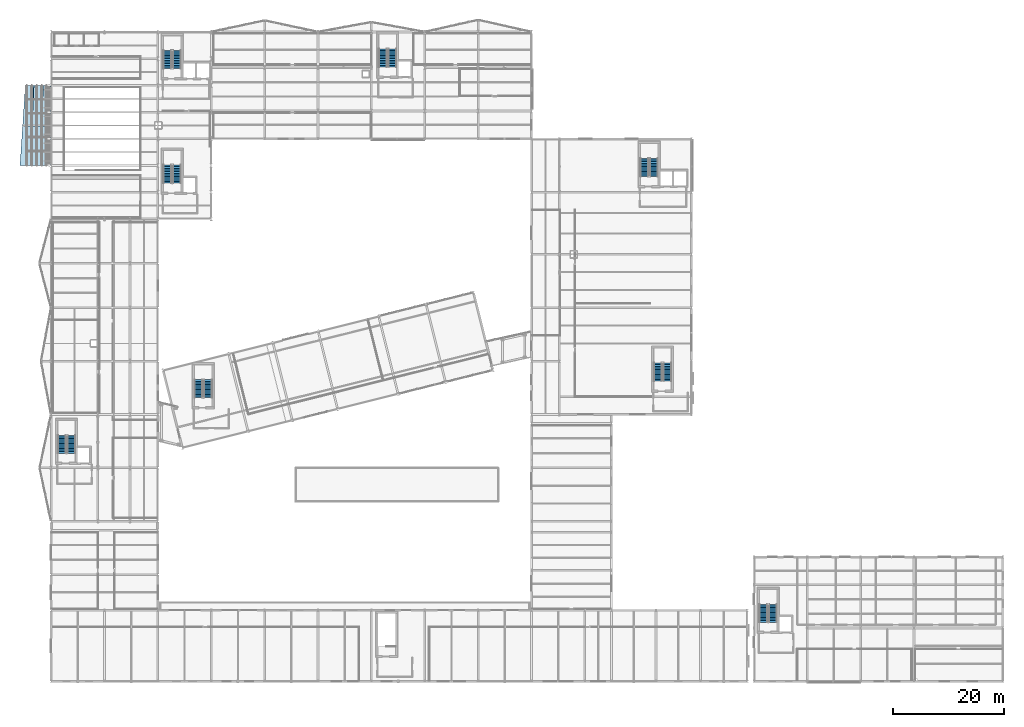
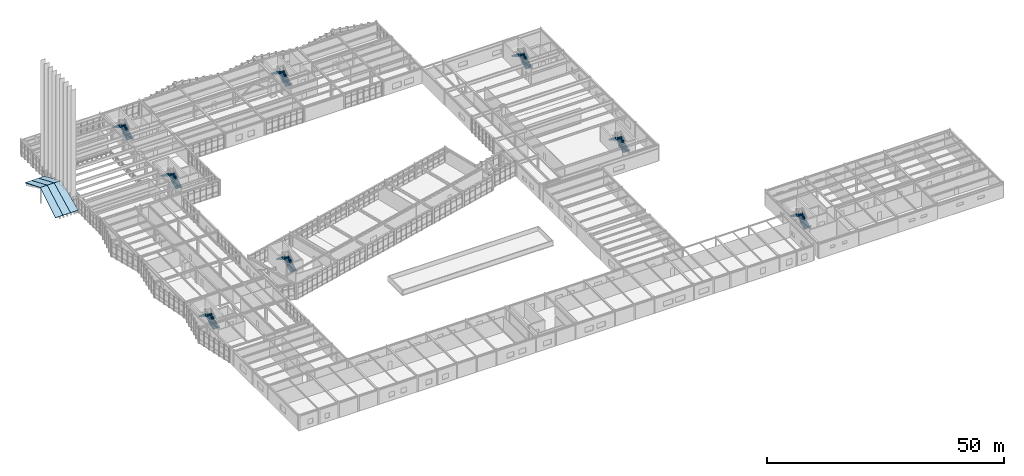
# One storey, part 90 of 99: 16 stair flights, 6 roofs, 8 elements without a shape of their own.
"""IFC4 building model written with IfcOpenShell, lengths in metres."""

from ifc_helpers import new_model, si_unit, direction, frame, origin, place, context, subcontext, project, spatial, polyline, outline, extrude, material, layer, layer_set, type_object, element, aggregate, save


model = new_model("IFC4")

# Units and contexts
model_context = context("Model", 3, precision=1e-05, world=origin(), true_north=direction((0.0, 1.0)))
body_context = subcontext(model_context, "Body", "Model", "MODEL_VIEW")
ifc_project = project(units=[si_unit("LENGTHUNIT", "METRE"), si_unit("AREAUNIT", "SQUARE_METRE"), si_unit("VOLUMEUNIT", "CUBIC_METRE"), si_unit("PLANEANGLEUNIT", "RADIAN"), si_unit("MASSUNIT", "GRAM", prefix="KILO")], contexts=[model_context])

# Site, building, storey
site_placement = place(None, origin())
site = spatial("IfcSite", under=ifc_project, at=site_placement, CompositionType="ELEMENT")
building_placement = place(site_placement, origin())
building = spatial("IfcBuilding", under=site, at=building_placement, Name="Nordkorset Police Headquarters", CompositionType="ELEMENT")
storey_placement = place(building_placement, frame((0.0, 0.0, 5.25)))
storey = spatial("IfcBuildingStorey", under=building, at=storey_placement, Name="L01", CompositionType="ELEMENT", Elevation=5.25)

# Stair, stair flights
ifc_material_1 = material(Name="Concrete C35/45", Category="concrete")
stair_type = type_object("IfcStairType", Name="ST-42", PredefinedType="HALF_TURN_STAIR", material=ifc_material_1)
stair_1_placement = place(storey_placement, origin())
stair_1 = element("IfcStair", 1, at=stair_1_placement, inside=storey, type_object=stair_type, Name="L01 Protected Escape Stair ST-01", PredefinedType="HALF_TURN_STAIR")
ifc_material_2 = material(Name="Concrete C35/45", Category="concrete")
stair_flight_type = type_object("IfcStairFlightType", Name="SF-42", PredefinedType="STRAIGHT", material=ifc_material_2)
stair_flight_1_placement = place(storey_placement, frame((22.625, 110.22509765625, 0.0), z_axis=(0.0, 0.0, 1.0), x_axis=(0.0, 1.0, 0.0)))
stair_flight_1 = element("IfcStairFlight", 2, at=stair_flight_1_placement, type_object=stair_flight_type, Name="ST-01 flight 1", NumberOfRisers=12, NumberOfTreads=11, PredefinedType="STRAIGHT", RiserHeight=0.175, TreadLength=0.295, context=body_context, shape_type="SweptSolid", body=[
    extrude(outline(polyline([(0.0, 0.0), (0.0, 0.175048828125), (0.294921875, 0.175048828125), (0.294921875, 0.35009765625), (0.590087890625, 0.35009765625), (0.590087890625, 0.52490234375), (0.885009765625, 0.52490234375), (0.885009765625, 0.699951171875), (1.179931640625, 0.699951171875), (1.179931640625, 0.875), (1.47509765625, 0.875), (1.47509765625, 1.050048828125), (1.77001953125, 1.050048828125), (1.77001953125, 1.22509765625), (2.06494140625, 1.22509765625), (2.06494140625, 1.39990234375), (2.360107421875, 1.39990234375), (2.360107421875, 1.574951171875), (2.655029296875, 1.574951171875), (2.655029296875, 1.75), (2.949951171875, 1.75), (2.949951171875, 1.925048828125), (3.2451171875, 1.925048828125), (3.2451171875, 2.10009765625), (3.2451171875, 1.739013671875), (0.3134765625, 0.0), (0.0, 0.0)])), frame((0.0, 0.75, 0.0), z_axis=(0.0, -1.0, 0.0), x_axis=(1.0, 0.0, 0.0)), (0.0, 0.0, 1.0), 1.5),
])
stair_flight_2_placement = place(storey_placement, frame((20.925048828125, 113.469970703125, 2.10009765625), z_axis=(0.0, 0.0, 1.0), x_axis=(0.0, -1.0, 0.0)))
stair_flight_2 = element("IfcStairFlight", 3, at=stair_flight_2_placement, type_object=stair_flight_type, Name="ST-01 flight 2", NumberOfRisers=12, NumberOfTreads=11, PredefinedType="STRAIGHT", RiserHeight=0.175, TreadLength=0.295, context=body_context, shape_type="SweptSolid", body=[
    extrude(outline(polyline([(0.0, 0.0), (0.0, 0.175048828125), (0.294921875, 0.175048828125), (0.294921875, 0.35009765625), (0.590087890625, 0.35009765625), (0.590087890625, 0.52490234375), (0.885009765625, 0.52490234375), (0.885009765625, 0.699951171875), (1.179931640625, 0.699951171875), (1.179931640625, 0.875), (1.47509765625, 0.875), (1.47509765625, 1.050048828125), (1.77001953125, 1.050048828125), (1.77001953125, 1.22509765625), (2.06494140625, 1.22509765625), (2.06494140625, 1.39990234375), (2.360107421875, 1.39990234375), (2.360107421875, 1.574951171875), (2.655029296875, 1.574951171875), (2.655029296875, 1.75), (2.949951171875, 1.75), (2.949951171875, 1.925048828125), (3.2451171875, 1.925048828125), (3.2451171875, 2.10009765625), (3.2451171875, 1.739013671875), (0.3134765625, 0.0), (0.0, 0.0)])), frame((0.0, 0.75, 0.0), z_axis=(0.0, -1.0, 0.0), x_axis=(1.0, 0.0, 0.0)), (0.0, 0.0, 1.0), 1.5),
])
aggregate(stair_1, [stair_flight_1, stair_flight_2])

stair_2_placement = place(storey_placement, origin())
stair_2 = element("IfcStair", 4, at=stair_2_placement, inside=storey, type_object=stair_type, Name="L01 Protected Escape Stair ST-03", PredefinedType="HALF_TURN_STAIR")
stair_flight_3_placement = place(storey_placement, frame((22.625, 89.625, 0.0), z_axis=(0.0, 0.0, 1.0), x_axis=(0.0, 1.0, 0.0)))
stair_flight_3 = element("IfcStairFlight", 5, at=stair_flight_3_placement, type_object=stair_flight_type, Name="ST-03 flight 1", NumberOfRisers=12, NumberOfTreads=11, PredefinedType="STRAIGHT", RiserHeight=0.175, TreadLength=0.295, context=body_context, shape_type="SweptSolid", body=[
    extrude(outline(polyline([(0.0, 0.0), (0.0, 0.175048828125), (0.294921875, 0.175048828125), (0.294921875, 0.35009765625), (0.590087890625, 0.35009765625), (0.590087890625, 0.52490234375), (0.885009765625, 0.52490234375), (0.885009765625, 0.699951171875), (1.179931640625, 0.699951171875), (1.179931640625, 0.875), (1.47509765625, 0.875), (1.47509765625, 1.050048828125), (1.77001953125, 1.050048828125), (1.77001953125, 1.22509765625), (2.06494140625, 1.22509765625), (2.06494140625, 1.39990234375), (2.360107421875, 1.39990234375), (2.360107421875, 1.574951171875), (2.655029296875, 1.574951171875), (2.655029296875, 1.75), (2.949951171875, 1.75), (2.949951171875, 1.925048828125), (3.2451171875, 1.925048828125), (3.2451171875, 2.10009765625), (3.2451171875, 1.739013671875), (0.3134765625, 0.0), (0.0, 0.0)])), frame((0.0, 0.75, 0.0), z_axis=(0.0, -1.0, 0.0), x_axis=(1.0, 0.0, 0.0)), (0.0, 0.0, 1.0), 1.5),
])
stair_flight_4_placement = place(storey_placement, frame((20.925048828125, 92.8701171875, 2.10009765625), z_axis=(0.0, 0.0, 1.0), x_axis=(0.0, -1.0, 0.0)))
stair_flight_4 = element("IfcStairFlight", 6, at=stair_flight_4_placement, type_object=stair_flight_type, Name="ST-03 flight 2", NumberOfRisers=12, NumberOfTreads=11, PredefinedType="STRAIGHT", RiserHeight=0.175, TreadLength=0.295, context=body_context, shape_type="SweptSolid", body=[
    extrude(outline(polyline([(0.0, 0.0), (0.0, 0.175048828125), (0.294921875, 0.175048828125), (0.294921875, 0.35009765625), (0.590087890625, 0.35009765625), (0.590087890625, 0.52490234375), (0.885009765625, 0.52490234375), (0.885009765625, 0.699951171875), (1.179931640625, 0.699951171875), (1.179931640625, 0.875), (1.47509765625, 0.875), (1.47509765625, 1.050048828125), (1.77001953125, 1.050048828125), (1.77001953125, 1.22509765625), (2.06494140625, 1.22509765625), (2.06494140625, 1.39990234375), (2.360107421875, 1.39990234375), (2.360107421875, 1.574951171875), (2.655029296875, 1.574951171875), (2.655029296875, 1.75), (2.949951171875, 1.75), (2.949951171875, 1.925048828125), (3.2451171875, 1.925048828125), (3.2451171875, 2.10009765625), (3.2451171875, 1.739013671875), (0.3134765625, 0.0), (0.0, 0.0)])), frame((0.0, 0.75, 0.0), z_axis=(0.0, -1.0, 0.0), x_axis=(1.0, 0.0, 0.0)), (0.0, 0.0, 1.0), 1.5),
])
aggregate(stair_2, [stair_flight_3, stair_flight_4])

stair_3_placement = place(storey_placement, origin())
stair_3 = element("IfcStair", 7, at=stair_3_placement, inside=storey, type_object=stair_type, Name="L01 Protected Escape Stair ST-02", PredefinedType="HALF_TURN_STAIR")
stair_flight_5_placement = place(storey_placement, frame((61.375, 110.52490234375, 0.0), z_axis=(0.0, 0.0, 1.0), x_axis=(0.0, 1.0, 0.0)))
stair_flight_5 = element("IfcStairFlight", 8, at=stair_flight_5_placement, type_object=stair_flight_type, Name="ST-02 flight 1", NumberOfRisers=12, NumberOfTreads=11, PredefinedType="STRAIGHT", RiserHeight=0.175, TreadLength=0.295, context=body_context, shape_type="SweptSolid", body=[
    extrude(outline(polyline([(0.0, 0.0), (0.0, 0.175048828125), (0.294921875, 0.175048828125), (0.294921875, 0.35009765625), (0.590087890625, 0.35009765625), (0.590087890625, 0.52490234375), (0.885009765625, 0.52490234375), (0.885009765625, 0.699951171875), (1.179931640625, 0.699951171875), (1.179931640625, 0.875), (1.47509765625, 0.875), (1.47509765625, 1.050048828125), (1.77001953125, 1.050048828125), (1.77001953125, 1.22509765625), (2.06494140625, 1.22509765625), (2.06494140625, 1.39990234375), (2.360107421875, 1.39990234375), (2.360107421875, 1.574951171875), (2.655029296875, 1.574951171875), (2.655029296875, 1.75), (2.949951171875, 1.75), (2.949951171875, 1.925048828125), (3.2451171875, 1.925048828125), (3.2451171875, 2.10009765625), (3.2451171875, 1.739013671875), (0.3134765625, 0.0), (0.0, 0.0)])), frame((0.0, 0.75, 0.0), z_axis=(0.0, -1.0, 0.0), x_axis=(1.0, 0.0, 0.0)), (0.0, 0.0, 1.0), 1.5),
])
stair_flight_6_placement = place(storey_placement, frame((59.675048828125, 113.77001953125, 2.10009765625), z_axis=(0.0, 0.0, 1.0), x_axis=(0.0, -1.0, 0.0)))
stair_flight_6 = element("IfcStairFlight", 9, at=stair_flight_6_placement, type_object=stair_flight_type, Name="ST-02 flight 2", NumberOfRisers=12, NumberOfTreads=11, PredefinedType="STRAIGHT", RiserHeight=0.175, TreadLength=0.295, context=body_context, shape_type="SweptSolid", body=[
    extrude(outline(polyline([(0.0, 0.0), (0.0, 0.175048828125), (0.294921875, 0.175048828125), (0.294921875, 0.35009765625), (0.590087890625, 0.35009765625), (0.590087890625, 0.52490234375), (0.885009765625, 0.52490234375), (0.885009765625, 0.699951171875), (1.179931640625, 0.699951171875), (1.179931640625, 0.875), (1.47509765625, 0.875), (1.47509765625, 1.050048828125), (1.77001953125, 1.050048828125), (1.77001953125, 1.22509765625), (2.06494140625, 1.22509765625), (2.06494140625, 1.39990234375), (2.360107421875, 1.39990234375), (2.360107421875, 1.574951171875), (2.655029296875, 1.574951171875), (2.655029296875, 1.75), (2.949951171875, 1.75), (2.949951171875, 1.925048828125), (3.2451171875, 1.925048828125), (3.2451171875, 2.10009765625), (3.2451171875, 1.739013671875), (0.3134765625, 0.0), (0.0, 0.0)])), frame((0.0, 0.75, 0.0), z_axis=(0.0, -1.0, 0.0), x_axis=(1.0, 0.0, 0.0)), (0.0, 0.0, 1.0), 1.5),
])
aggregate(stair_3, [stair_flight_5, stair_flight_6])

stair_4_placement = place(storey_placement, origin())
stair_4 = element("IfcStair", 10, at=stair_4_placement, inside=storey, type_object=stair_type, Name="L01 Protected Escape Stair ST-04", PredefinedType="HALF_TURN_STAIR")
stair_flight_7_placement = place(storey_placement, frame((3.625, 41.02490234375, 0.0), z_axis=(0.0, 0.0, 1.0), x_axis=(0.0, 1.0, 0.0)))
stair_flight_7 = element("IfcStairFlight", 11, at=stair_flight_7_placement, type_object=stair_flight_type, Name="ST-04 flight 1", NumberOfRisers=12, NumberOfTreads=11, PredefinedType="STRAIGHT", RiserHeight=0.175, TreadLength=0.295, context=body_context, shape_type="SweptSolid", body=[
    extrude(outline(polyline([(0.0, 0.0), (0.0, 0.175048828125), (0.294921875, 0.175048828125), (0.294921875, 0.35009765625), (0.590087890625, 0.35009765625), (0.590087890625, 0.52490234375), (0.885009765625, 0.52490234375), (0.885009765625, 0.699951171875), (1.179931640625, 0.699951171875), (1.179931640625, 0.875), (1.47509765625, 0.875), (1.47509765625, 1.050048828125), (1.77001953125, 1.050048828125), (1.77001953125, 1.22509765625), (2.06494140625, 1.22509765625), (2.06494140625, 1.39990234375), (2.360107421875, 1.39990234375), (2.360107421875, 1.574951171875), (2.655029296875, 1.574951171875), (2.655029296875, 1.75), (2.949951171875, 1.75), (2.949951171875, 1.925048828125), (3.2451171875, 1.925048828125), (3.2451171875, 2.10009765625), (3.2451171875, 1.739013671875), (0.3134765625, 0.0), (0.0, 0.0)])), frame((0.0, 0.75, 0.0), z_axis=(0.0, -1.0, 0.0), x_axis=(1.0, 0.0, 0.0)), (0.0, 0.0, 1.0), 1.5),
])
stair_flight_8_placement = place(storey_placement, frame((1.925048828125, 44.27001953125, 2.10009765625), z_axis=(0.0, 0.0, 1.0), x_axis=(0.0, -1.0, 0.0)))
stair_flight_8 = element("IfcStairFlight", 12, at=stair_flight_8_placement, type_object=stair_flight_type, Name="ST-04 flight 2", NumberOfRisers=12, NumberOfTreads=11, PredefinedType="STRAIGHT", RiserHeight=0.175, TreadLength=0.295, context=body_context, shape_type="SweptSolid", body=[
    extrude(outline(polyline([(0.0, 0.0), (0.0, 0.175048828125), (0.294921875, 0.175048828125), (0.294921875, 0.35009765625), (0.590087890625, 0.35009765625), (0.590087890625, 0.52490234375), (0.885009765625, 0.52490234375), (0.885009765625, 0.699951171875), (1.179931640625, 0.699951171875), (1.179931640625, 0.875), (1.47509765625, 0.875), (1.47509765625, 1.050048828125), (1.77001953125, 1.050048828125), (1.77001953125, 1.22509765625), (2.06494140625, 1.22509765625), (2.06494140625, 1.39990234375), (2.360107421875, 1.39990234375), (2.360107421875, 1.574951171875), (2.655029296875, 1.574951171875), (2.655029296875, 1.75), (2.949951171875, 1.75), (2.949951171875, 1.925048828125), (3.2451171875, 1.925048828125), (3.2451171875, 2.10009765625), (3.2451171875, 1.739013671875), (0.3134765625, 0.0), (0.0, 0.0)])), frame((0.0, 0.75, 0.0), z_axis=(0.0, -1.0, 0.0), x_axis=(1.0, 0.0, 0.0)), (0.0, 0.0, 1.0), 1.5),
])
aggregate(stair_4, [stair_flight_7, stair_flight_8])

stair_5_placement = place(storey_placement, origin())
stair_5 = element("IfcStair", 13, at=stair_5_placement, inside=storey, type_object=stair_type, Name="L01 Protected Escape Stair ST-05", PredefinedType="HALF_TURN_STAIR")
stair_flight_9_placement = place(storey_placement, frame((108.425048828125, 90.824951171875, 0.0), z_axis=(0.0, 0.0, 1.0), x_axis=(0.0, 1.0, 0.0)))
stair_flight_9 = element("IfcStairFlight", 14, at=stair_flight_9_placement, type_object=stair_flight_type, Name="ST-05 flight 1", NumberOfRisers=12, NumberOfTreads=11, PredefinedType="STRAIGHT", RiserHeight=0.175, TreadLength=0.295, context=body_context, shape_type="SweptSolid", body=[
    extrude(outline(polyline([(0.0, 0.0), (0.0, 0.175048828125), (0.294921875, 0.175048828125), (0.294921875, 0.35009765625), (0.590087890625, 0.35009765625), (0.590087890625, 0.52490234375), (0.885009765625, 0.52490234375), (0.885009765625, 0.699951171875), (1.179931640625, 0.699951171875), (1.179931640625, 0.875), (1.47509765625, 0.875), (1.47509765625, 1.050048828125), (1.77001953125, 1.050048828125), (1.77001953125, 1.22509765625), (2.06494140625, 1.22509765625), (2.06494140625, 1.39990234375), (2.360107421875, 1.39990234375), (2.360107421875, 1.574951171875), (2.655029296875, 1.574951171875), (2.655029296875, 1.75), (2.949951171875, 1.75), (2.949951171875, 1.925048828125), (3.2451171875, 1.925048828125), (3.2451171875, 2.10009765625), (3.2451171875, 1.739013671875), (0.3134765625, 0.0), (0.0, 0.0)])), frame((0.0, 0.75, 0.0), z_axis=(0.0, -1.0, 0.0), x_axis=(1.0, 0.0, 0.0)), (0.0, 0.0, 1.0), 1.5),
])
stair_flight_10_placement = place(storey_placement, frame((106.72509765625, 94.070068359375, 2.10009765625), z_axis=(0.0, 0.0, 1.0), x_axis=(0.0, -1.0, 0.0)))
stair_flight_10 = element("IfcStairFlight", 15, at=stair_flight_10_placement, type_object=stair_flight_type, Name="ST-05 flight 2", NumberOfRisers=12, NumberOfTreads=11, PredefinedType="STRAIGHT", RiserHeight=0.175, TreadLength=0.295, context=body_context, shape_type="SweptSolid", body=[
    extrude(outline(polyline([(0.0, 0.0), (0.0, 0.175048828125), (0.294921875, 0.175048828125), (0.294921875, 0.35009765625), (0.590087890625, 0.35009765625), (0.590087890625, 0.52490234375), (0.885009765625, 0.52490234375), (0.885009765625, 0.699951171875), (1.179931640625, 0.699951171875), (1.179931640625, 0.875), (1.47509765625, 0.875), (1.47509765625, 1.050048828125), (1.77001953125, 1.050048828125), (1.77001953125, 1.22509765625), (2.06494140625, 1.22509765625), (2.06494140625, 1.39990234375), (2.360107421875, 1.39990234375), (2.360107421875, 1.574951171875), (2.655029296875, 1.574951171875), (2.655029296875, 1.75), (2.949951171875, 1.75), (2.949951171875, 1.925048828125), (3.2451171875, 1.925048828125), (3.2451171875, 2.10009765625), (3.2451171875, 1.739013671875), (0.3134765625, 0.0), (0.0, 0.0)])), frame((0.0, 0.75, 0.0), z_axis=(0.0, -1.0, 0.0), x_axis=(1.0, 0.0, 0.0)), (0.0, 0.0, 1.0), 1.5),
])
aggregate(stair_5, [stair_flight_9, stair_flight_10])

stair_6_placement = place(storey_placement, origin())
stair_6 = element("IfcStair", 16, at=stair_6_placement, inside=storey, type_object=stair_type, Name="L01 Protected Escape Stair ST-06", PredefinedType="HALF_TURN_STAIR")
stair_flight_11_placement = place(storey_placement, frame((129.824951171875, 10.625, 0.0), z_axis=(0.0, 0.0, 1.0), x_axis=(0.0, 1.0, 0.0)))
stair_flight_11 = element("IfcStairFlight", 17, at=stair_flight_11_placement, type_object=stair_flight_type, Name="ST-06 flight 1", NumberOfRisers=12, NumberOfTreads=11, PredefinedType="STRAIGHT", RiserHeight=0.175, TreadLength=0.295, context=body_context, shape_type="SweptSolid", body=[
    extrude(outline(polyline([(0.0, 0.0), (0.0, 0.175048828125), (0.294921875, 0.175048828125), (0.294921875, 0.35009765625), (0.590087890625, 0.35009765625), (0.590087890625, 0.52490234375), (0.885009765625, 0.52490234375), (0.885009765625, 0.699951171875), (1.179931640625, 0.699951171875), (1.179931640625, 0.875), (1.47509765625, 0.875), (1.47509765625, 1.050048828125), (1.77001953125, 1.050048828125), (1.77001953125, 1.22509765625), (2.06494140625, 1.22509765625), (2.06494140625, 1.39990234375), (2.360107421875, 1.39990234375), (2.360107421875, 1.574951171875), (2.655029296875, 1.574951171875), (2.655029296875, 1.75), (2.949951171875, 1.75), (2.949951171875, 1.925048828125), (3.2451171875, 1.925048828125), (3.2451171875, 2.10009765625), (3.2451171875, 1.739013671875), (0.3134765625, 0.0), (0.0, 0.0)])), frame((0.0, 0.75, 0.0), z_axis=(0.0, -1.0, 0.0), x_axis=(1.0, 0.0, 0.0)), (0.0, 0.0, 1.0), 1.5),
])
stair_flight_12_placement = place(storey_placement, frame((128.125, 13.8701171875, 2.10009765625), z_axis=(0.0, 0.0, 1.0), x_axis=(0.0, -1.0, 0.0)))
stair_flight_12 = element("IfcStairFlight", 18, at=stair_flight_12_placement, type_object=stair_flight_type, Name="ST-06 flight 2", NumberOfRisers=12, NumberOfTreads=11, PredefinedType="STRAIGHT", RiserHeight=0.175, TreadLength=0.295, context=body_context, shape_type="SweptSolid", body=[
    extrude(outline(polyline([(0.0, 0.0), (0.0, 0.175048828125), (0.294921875, 0.175048828125), (0.294921875, 0.35009765625), (0.590087890625, 0.35009765625), (0.590087890625, 0.52490234375), (0.885009765625, 0.52490234375), (0.885009765625, 0.699951171875), (1.179931640625, 0.699951171875), (1.179931640625, 0.875), (1.47509765625, 0.875), (1.47509765625, 1.050048828125), (1.77001953125, 1.050048828125), (1.77001953125, 1.22509765625), (2.06494140625, 1.22509765625), (2.06494140625, 1.39990234375), (2.360107421875, 1.39990234375), (2.360107421875, 1.574951171875), (2.655029296875, 1.574951171875), (2.655029296875, 1.75), (2.949951171875, 1.75), (2.949951171875, 1.925048828125), (3.2451171875, 1.925048828125), (3.2451171875, 2.10009765625), (3.2451171875, 1.739013671875), (0.3134765625, 0.0), (0.0, 0.0)])), frame((0.0, 0.75, 0.0), z_axis=(0.0, -1.0, 0.0), x_axis=(1.0, 0.0, 0.0)), (0.0, 0.0, 1.0), 1.5),
])
aggregate(stair_6, [stair_flight_11, stair_flight_12])

stair_7_placement = place(storey_placement, origin())
stair_7 = element("IfcStair", 19, at=stair_7_placement, inside=storey, type_object=stair_type, Name="L01 Protected Escape Stair ST-08", PredefinedType="HALF_TURN_STAIR")
stair_flight_13_placement = place(storey_placement, frame((28.22509765625, 51.02490234375, 0.0), z_axis=(0.0, 0.0, 1.0), x_axis=(0.0, 1.0, 0.0)))
stair_flight_13 = element("IfcStairFlight", 20, at=stair_flight_13_placement, type_object=stair_flight_type, Name="ST-08 flight 1", NumberOfRisers=12, NumberOfTreads=11, PredefinedType="STRAIGHT", RiserHeight=0.175, TreadLength=0.295, context=body_context, shape_type="SweptSolid", body=[
    extrude(outline(polyline([(0.0, 0.0), (0.0, 0.175048828125), (0.294921875, 0.175048828125), (0.294921875, 0.35009765625), (0.590087890625, 0.35009765625), (0.590087890625, 0.52490234375), (0.885009765625, 0.52490234375), (0.885009765625, 0.699951171875), (1.179931640625, 0.699951171875), (1.179931640625, 0.875), (1.47509765625, 0.875), (1.47509765625, 1.050048828125), (1.77001953125, 1.050048828125), (1.77001953125, 1.22509765625), (2.06494140625, 1.22509765625), (2.06494140625, 1.39990234375), (2.360107421875, 1.39990234375), (2.360107421875, 1.574951171875), (2.655029296875, 1.574951171875), (2.655029296875, 1.75), (2.949951171875, 1.75), (2.949951171875, 1.925048828125), (3.2451171875, 1.925048828125), (3.2451171875, 2.10009765625), (3.2451171875, 1.739013671875), (0.3134765625, 0.0), (0.0, 0.0)])), frame((0.0, 0.75, 0.0), z_axis=(0.0, -1.0, 0.0), x_axis=(1.0, 0.0, 0.0)), (0.0, 0.0, 1.0), 1.5),
])
stair_flight_14_placement = place(storey_placement, frame((26.52490234375, 54.27001953125, 2.10009765625), z_axis=(0.0, 0.0, 1.0), x_axis=(0.0, -1.0, 0.0)))
stair_flight_14 = element("IfcStairFlight", 21, at=stair_flight_14_placement, type_object=stair_flight_type, Name="ST-08 flight 2", NumberOfRisers=12, NumberOfTreads=11, PredefinedType="STRAIGHT", RiserHeight=0.175, TreadLength=0.295, context=body_context, shape_type="SweptSolid", body=[
    extrude(outline(polyline([(0.0, 0.0), (0.0, 0.175048828125), (0.294921875, 0.175048828125), (0.294921875, 0.35009765625), (0.590087890625, 0.35009765625), (0.590087890625, 0.52490234375), (0.885009765625, 0.52490234375), (0.885009765625, 0.699951171875), (1.179931640625, 0.699951171875), (1.179931640625, 0.875), (1.47509765625, 0.875), (1.47509765625, 1.050048828125), (1.77001953125, 1.050048828125), (1.77001953125, 1.22509765625), (2.06494140625, 1.22509765625), (2.06494140625, 1.39990234375), (2.360107421875, 1.39990234375), (2.360107421875, 1.574951171875), (2.655029296875, 1.574951171875), (2.655029296875, 1.75), (2.949951171875, 1.75), (2.949951171875, 1.925048828125), (3.2451171875, 1.925048828125), (3.2451171875, 2.10009765625), (3.2451171875, 1.739013671875), (0.3134765625, 0.0), (0.0, 0.0)])), frame((0.0, 0.75, 0.0), z_axis=(0.0, -1.0, 0.0), x_axis=(1.0, 0.0, 0.0)), (0.0, 0.0, 1.0), 1.5),
])
aggregate(stair_7, [stair_flight_13, stair_flight_14])

stair_8_placement = place(storey_placement, origin())
stair_8 = element("IfcStair", 22, at=stair_8_placement, inside=storey, type_object=stair_type, Name="L01 Protected Escape Stair ST-09", PredefinedType="HALF_TURN_STAIR")
stair_flight_15_placement = place(storey_placement, frame((110.824951171875, 54.02490234375, 0.0), z_axis=(0.0, 0.0, 1.0), x_axis=(0.0, 1.0, 0.0)))
stair_flight_15 = element("IfcStairFlight", 23, at=stair_flight_15_placement, type_object=stair_flight_type, Name="ST-09 flight 1", NumberOfRisers=12, NumberOfTreads=11, PredefinedType="STRAIGHT", RiserHeight=0.175, TreadLength=0.295, context=body_context, shape_type="SweptSolid", body=[
    extrude(outline(polyline([(0.0, 0.0), (0.0, 0.175048828125), (0.294921875, 0.175048828125), (0.294921875, 0.35009765625), (0.590087890625, 0.35009765625), (0.590087890625, 0.52490234375), (0.885009765625, 0.52490234375), (0.885009765625, 0.699951171875), (1.179931640625, 0.699951171875), (1.179931640625, 0.875), (1.47509765625, 0.875), (1.47509765625, 1.050048828125), (1.77001953125, 1.050048828125), (1.77001953125, 1.22509765625), (2.06494140625, 1.22509765625), (2.06494140625, 1.39990234375), (2.360107421875, 1.39990234375), (2.360107421875, 1.574951171875), (2.655029296875, 1.574951171875), (2.655029296875, 1.75), (2.949951171875, 1.75), (2.949951171875, 1.925048828125), (3.2451171875, 1.925048828125), (3.2451171875, 2.10009765625), (3.2451171875, 1.739013671875), (0.3134765625, 0.0), (0.0, 0.0)])), frame((0.0, 0.75, 0.0), z_axis=(0.0, -1.0, 0.0), x_axis=(1.0, 0.0, 0.0)), (0.0, 0.0, 1.0), 1.5),
])
stair_flight_16_placement = place(storey_placement, frame((109.125, 57.27001953125, 2.10009765625), z_axis=(0.0, 0.0, 1.0), x_axis=(0.0, -1.0, 0.0)))
stair_flight_16 = element("IfcStairFlight", 24, at=stair_flight_16_placement, type_object=stair_flight_type, Name="ST-09 flight 2", NumberOfRisers=12, NumberOfTreads=11, PredefinedType="STRAIGHT", RiserHeight=0.175, TreadLength=0.295, context=body_context, shape_type="SweptSolid", body=[
    extrude(outline(polyline([(0.0, 0.0), (0.0, 0.175048828125), (0.294921875, 0.175048828125), (0.294921875, 0.35009765625), (0.590087890625, 0.35009765625), (0.590087890625, 0.52490234375), (0.885009765625, 0.52490234375), (0.885009765625, 0.699951171875), (1.179931640625, 0.699951171875), (1.179931640625, 0.875), (1.47509765625, 0.875), (1.47509765625, 1.050048828125), (1.77001953125, 1.050048828125), (1.77001953125, 1.22509765625), (2.06494140625, 1.22509765625), (2.06494140625, 1.39990234375), (2.360107421875, 1.39990234375), (2.360107421875, 1.574951171875), (2.655029296875, 1.574951171875), (2.655029296875, 1.75), (2.949951171875, 1.75), (2.949951171875, 1.925048828125), (3.2451171875, 1.925048828125), (3.2451171875, 2.10009765625), (3.2451171875, 1.739013671875), (0.3134765625, 0.0), (0.0, 0.0)])), frame((0.0, 0.75, 0.0), z_axis=(0.0, -1.0, 0.0), x_axis=(1.0, 0.0, 0.0)), (0.0, 0.0, 1.0), 1.5),
])
aggregate(stair_8, [stair_flight_15, stair_flight_16])

# Roofs
ifc_material_3 = material(Name="Patinated Nordic zinc")
ifc_layer = layer(ifc_material_3, 0.139892578125, Name="Patinated Nordic zinc")
ifc_layer_set = layer_set([ifc_layer], Name="Patinated Nordic zinc")
roof_type = type_object("IfcRoofType", Name="Canopy_Gable_Roof", PredefinedType="GABLE_ROOF", material=ifc_layer_set)
roof_1_placement = place(storey_placement, frame((-5.60009765625, 92.800048828125, 0.3701171875), z_axis=(0.0, -0.41141944428, 0.911446126147), x_axis=(1.0, 0.0, 0.0)))
element("IfcRoof", 25, at=roof_1_placement, inside=storey, type_object=roof_type, Name="Forecourt Gabled Canopy Roof South 1", PredefinedType="GABLE_ROOF", context=body_context, shape_type="SweptSolid", body=[
    extrude(outline(polyline([(0.0, 0.0), (1.85009765625, 0.0), (2.170166015625, 7.899480797962876), (0.47998046875, 7.899480797962876), (0.0, 0.0)])), origin(), (0.0, 0.0, -1.0), 0.139892578125),
])
roof_2_placement = place(storey_placement, frame((-5.1201171875, 100.0, 3.6201171875), z_axis=(0.0, 0.41141944428, 0.911446126147), x_axis=(1.0, 0.0, 0.0)))
element("IfcRoof", 26, at=roof_2_placement, inside=storey, type_object=roof_type, Name="Forecourt Gabled Canopy Roof North 1", PredefinedType="GABLE_ROOF", context=body_context, shape_type="SweptSolid", body=[
    extrude(outline(polyline([(0.0, 0.0), (1.690185546875, 0.0), (2.010009765625, 7.899480797962875), (0.480224609375, 7.899480797962875), (0.0, 0.0)])), origin(), (0.0, 0.0, -1.0), 0.139892578125),
])
roof_3_placement = place(storey_placement, frame((-3.75, 92.800048828125, 0.3701171875), z_axis=(0.0, -0.41141944428, 0.911446126147), x_axis=(1.0, 0.0, 0.0)))
element("IfcRoof", 27, at=roof_3_placement, inside=storey, type_object=roof_type, Name="Forecourt Gabled Canopy Roof South 2", PredefinedType="GABLE_ROOF", context=body_context, shape_type="SweptSolid", body=[
    extrude(outline(polyline([(0.0, 0.0), (1.85009765625, 0.0), (2.010009765625, 7.899480797962876), (0.320068359375, 7.899480797962876), (0.0, 0.0)])), origin(), (0.0, 0.0, -1.0), 0.139892578125),
])
roof_4_placement = place(storey_placement, frame((-3.429931640625, 100.0, 3.6201171875), z_axis=(0.0, 0.41141944428, 0.911446126147), x_axis=(1.0, 0.0, 0.0)))
element("IfcRoof", 28, at=roof_4_placement, inside=storey, type_object=roof_type, Name="Forecourt Gabled Canopy Roof North 2", PredefinedType="GABLE_ROOF", context=body_context, shape_type="SweptSolid", body=[
    extrude(outline(polyline([(0.0, 0.0), (1.68994140625, 0.0), (2.010009765625, 7.899480797962875), (0.31982421875, 7.899480797962875), (0.0, 0.0)])), origin(), (0.0, 0.0, -1.0), 0.139892578125),
])
roof_5_placement = place(storey_placement, frame((-1.89990234375, 92.800048828125, 0.3701171875), z_axis=(0.0, -0.41141944428, 0.911446126147), x_axis=(1.0, 0.0, 0.0)))
element("IfcRoof", 29, at=roof_5_placement, inside=storey, type_object=roof_type, Name="Forecourt Gabled Canopy Roof South 3", PredefinedType="GABLE_ROOF", context=body_context, shape_type="SweptSolid", body=[
    extrude(outline(polyline([(0.0, 0.0), (1.849853515625, 0.0), (1.849853515625, 7.899480797962875), (0.159912109375, 7.899480797962875), (0.0, 0.0)])), origin(), (0.0, 0.0, -1.0), 0.139892578125),
])
roof_6_placement = place(storey_placement, frame((-1.739990234375, 100.0, 3.6201171875), z_axis=(0.0, 0.41141944428, 0.911446126147), x_axis=(1.0, 0.0, 0.0)))
element("IfcRoof", 30, at=roof_6_placement, inside=storey, type_object=roof_type, Name="Forecourt Gabled Canopy Roof North 3", PredefinedType="GABLE_ROOF", context=body_context, shape_type="SweptSolid", body=[
    extrude(outline(polyline([(0.0, 0.0), (1.68994140625, 0.0), (1.68994140625, 7.899480797962875), (0.320068359375, 7.899480797962875), (0.0, 0.0)])), origin(), (0.0, 0.0, -1.0), 0.139892578125),
])

save(model, "model.ifc")
